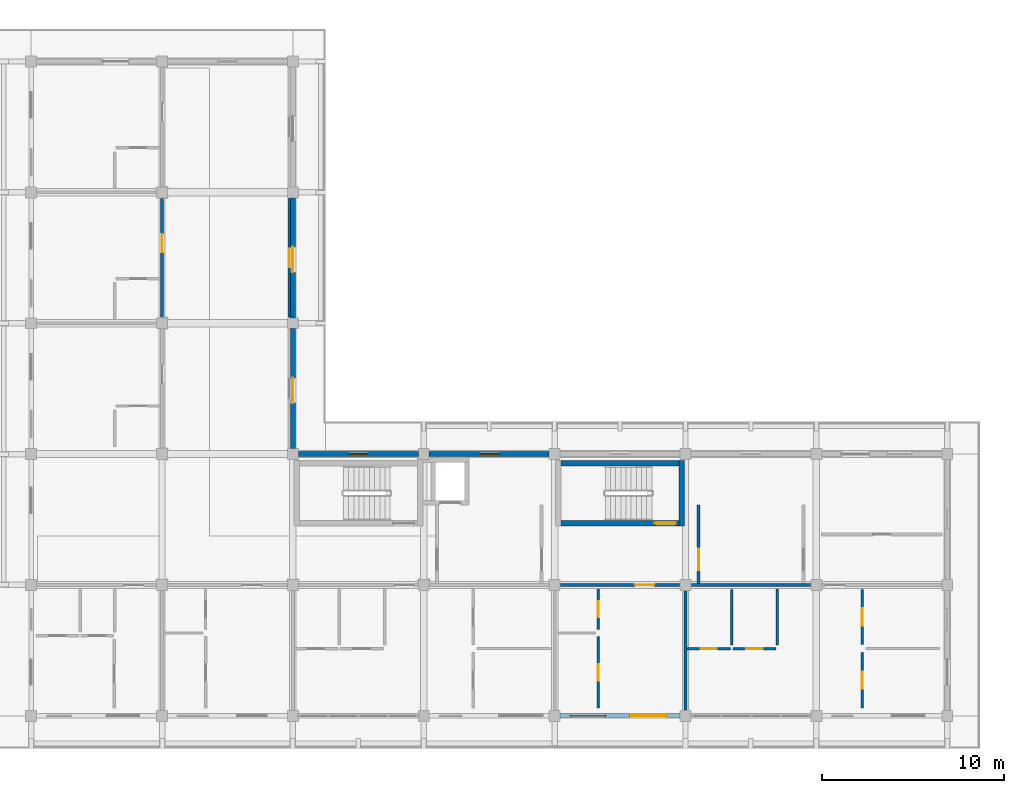
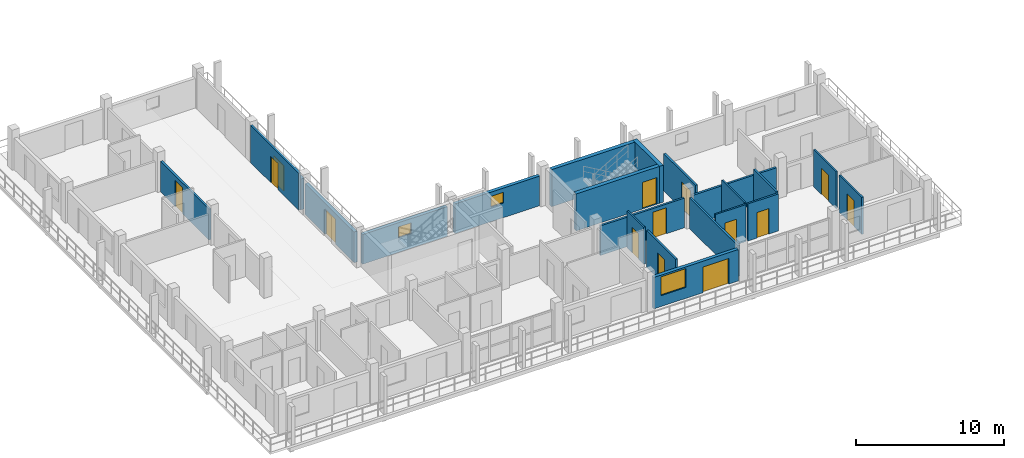
# One storey, part 40 of 75: 22 walls, 14 doors, 3 windows, 17 openings.
"""IFC4 building model written with IfcOpenShell, lengths in metres."""

from ifc_helpers import new_model, si_unit, direction, frame, frame_2d, origin, place, context, subcontext, project, spatial, rectangle, extrude, material, layer, layer_set, type_object, element, fill, save


model = new_model("IFC4")

# Units and contexts
model_context = context("Model", 3, precision=1e-05, world=origin(), true_north=direction((0.0, 1.0)))
body_context = subcontext(model_context, "Body", "Model", "MODEL_VIEW")
ifc_project = project(units=[si_unit("LENGTHUNIT", "METRE"), si_unit("AREAUNIT", "SQUARE_METRE"), si_unit("VOLUMEUNIT", "CUBIC_METRE"), si_unit("PLANEANGLEUNIT", "RADIAN"), si_unit("MASSUNIT", "GRAM", prefix="KILO")], contexts=[model_context])

# Site, building, storey
site_placement = place(None, origin())
site = spatial("IfcSite", under=ifc_project, at=site_placement, CompositionType="ELEMENT")
building_placement = place(site_placement, origin())
building = spatial("IfcBuilding", under=site, at=building_placement, Name="Suanplinth Sawtooth Commons", CompositionType="ELEMENT")
storey_placement = place(building_placement, frame((0.0, 0.0, 18.60009765625)))
storey = spatial("IfcBuildingStorey", under=building, at=storey_placement, Name="L05", CompositionType="ELEMENT", Elevation=18.60009765625)

# Wall, opening, door
ifc_material_1 = material(Name="Concrete C40/50", Category="concrete")
ifc_layer_1 = layer(ifc_material_1, 0.300048828125, Name="Standard RC stair and lift core wall 300mm")
ifc_layer_set_1 = layer_set([ifc_layer_1], Name="Concrete C40/50")
wall_type_1 = type_object("IfcWallType", Name="W-CR02", PredefinedType="SHEAR", material=ifc_layer_set_1)
wall_1_placement = place(storey_placement, frame((29.14990234375, 10.60009765625, 0.0), z_axis=(0.0, 0.0, 1.0), x_axis=(1.0, 0.0, 0.0)))
wall_1 = element("IfcWall", 1, at=wall_1_placement, inside=storey, type_object=wall_type_1, Name="W-L05-C-D2-STS", PredefinedType="SHEAR", context=body_context, shape_type="SweptSolid", body=[
    extrude(rectangle(XDim=6.5, YDim=0.300048828125, at=frame_2d((3.25, 0.0))), origin(), (0.0, 0.0, 1.0), 3.059814453125),
])
opening_1_placement = place(wall_1_placement, frame((5.169921875, 0.0, 0.0)))
opening_1 = element("IfcOpeningElement", 2, at=opening_1_placement, cuts=wall_1, Name="Opening FD0415", PredefinedType="OPENING", context=body_context, shape_type="SweptSolid", body=[
    extrude(rectangle(XDim=1.14990234375, YDim=2.199951171875, at=frame_2d((0.574951171875, 1.10009765625))), frame((0.0, 0.1650390625, 0.0), z_axis=(0.0, -1.0, 0.0), x_axis=(1.0, 0.0, 0.0)), (0.0, 0.0, 1.0), 0.329833984375),
])
ifc_material_2 = material(Name="Teak hardwood fire-rated door assembly", Category="wood")
door_type_1 = type_object("IfcDoorType", Name="FD-01", OperationType="NOTDEFINED", PredefinedType="DOOR", material=ifc_material_2)
door_1_placement = place(opening_1_placement, origin())
door_1 = element("IfcDoor", 3, at=door_1_placement, inside=storey, type_object=door_type_1, Name="Exit Stair Fire Door FD0415", OperationType="SINGLE_SWING_RIGHT", OverallHeight=2.199951171875, OverallWidth=1.14990234375, PredefinedType="DOOR", context=body_context, shape_type="SweptSolid", body=[
    extrude(rectangle(XDim=1.14990234375, YDim=2.199951171875, at=frame_2d((0.574951171875, 1.10009765625))), frame((0.0, 0.02490234375, 0.0), z_axis=(0.0, -1.0, 0.0), x_axis=(1.0, 0.0, 0.0)), (0.0, 0.0, 1.0), 0.050048828125),
])
fill(opening_1, door_1)

# Walls
wall_2_placement = place(storey_placement, frame((29.14990234375, 13.89990234375, 0.0), z_axis=(0.0, 0.0, 1.0), x_axis=(1.0, 0.0, 0.0)))
element("IfcWall", 4, at=wall_2_placement, inside=storey, type_object=wall_type_1, Name="W-L05-C-D2-STN", PredefinedType="SHEAR", context=body_context, shape_type="SweptSolid", body=[
    extrude(rectangle(XDim=6.5, YDim=0.300048828125, at=frame_2d((3.25, 0.0))), origin(), (0.0, 0.0, 1.0), 3.059814453125),
])
wall_3_placement = place(storey_placement, frame((35.800048828125, 10.449951171875, 0.0), z_axis=(0.0, 0.0, 1.0), x_axis=(0.0, 1.0, 0.0)))
element("IfcWall", 5, at=wall_3_placement, inside=storey, type_object=wall_type_1, Name="W-L05-C-D2-STE", PredefinedType="SHEAR", context=body_context, shape_type="SweptSolid", body=[
    extrude(rectangle(XDim=3.60009765625, YDim=0.300048828125, at=frame_2d((1.800048828125, 0.0))), origin(), (0.0, 0.0, 1.0), 3.059814453125),
])

# Wall, opening, door
ifc_material_3 = material(Name="Precast concrete C40/50", Category="concrete")
ifc_layer_2 = layer(ifc_material_3, 0.260009765625, Name="Insulated precast courtyard facade wall 260mm")
ifc_layer_set_2 = layer_set([ifc_layer_2], Name="Precast concrete C40/50")
wall_type_2 = type_object("IfcWallType", Name="W-EX02", PredefinedType="ELEMENTEDWALL", material=ifc_layer_set_2)
wall_4_placement = place(storey_placement, frame((14.39990234375, 14.699951171875, 0.0), z_axis=(0.0, 0.0, 1.0), x_axis=(0.0, 1.0, 0.0)))
wall_4 = element("IfcWall", 6, at=wall_4_placement, inside=storey, type_object=wall_type_2, Name="Facade Wall W-L05-D-E-1-2", PredefinedType="ELEMENTEDWALL", context=body_context, shape_type="SweptSolid", body=[
    extrude(rectangle(XDim=6.60009765625, YDim=0.260009765625, at=frame_2d((3.300048828125, 0.0))), origin(), (0.0, 0.0, 1.0), 2.544921875),
])
opening_2_placement = place(wall_4_placement, frame((2.5, 0.0, 0.0)))
opening_2 = element("IfcOpeningElement", 7, at=opening_2_placement, cuts=wall_4, Name="Opening ED0469", PredefinedType="OPENING", context=body_context, shape_type="SweptSolid", body=[
    extrude(rectangle(XDim=1.39990234375, YDim=2.10009765625, at=frame_2d((0.699951171875, 1.050048828125))), frame((0.0, 0.14501953125, 0.0), z_axis=(0.0, -1.0, 0.0), x_axis=(1.0, 0.0, 0.0)), (0.0, 0.0, 1.0), 0.289794921875),
])
ifc_material_4 = material(Name="Anodized aluminium and low-E glass", Category="aluminium")
door_type_2 = type_object("IfcDoorType", Name="SD-07", OperationType="SLIDING_TO_RIGHT", PredefinedType="DOOR", material=ifc_material_4)
door_2_placement = place(opening_2_placement, frame((1.39990234375, 0.0, 0.0), z_axis=(0.0, 0.0, 1.0), x_axis=(-1.0, 0.0, 0.0)))
door_2 = element("IfcDoor", 8, at=door_2_placement, inside=storey, type_object=door_type_2, Name="Courtyard Veranda Studio Balcony Door L05-D-2", OperationType="SLIDING_TO_RIGHT", OverallHeight=2.10009765625, OverallWidth=1.39990234375, PredefinedType="DOOR", context=body_context, shape_type="SweptSolid", body=[
    extrude(rectangle(XDim=1.39990234375, YDim=2.10009765625, at=frame_2d((0.699951171875, 1.050048828125))), frame((0.0, 0.02490234375, 0.0), z_axis=(0.0, -1.0, 0.0), x_axis=(1.0, 0.0, 0.0)), (0.0, 0.0, 1.0), 0.050048828125),
])
fill(opening_2, door_2)

wall_5_placement = place(storey_placement, frame((14.39990234375, 21.89990234375, 0.0), z_axis=(0.0, 0.0, 1.0), x_axis=(0.0, 1.0, 0.0)))
wall_5 = element("IfcWall", 9, at=wall_5_placement, inside=storey, type_object=wall_type_2, Name="Facade Wall W-L05-D-E-1-3", PredefinedType="ELEMENTEDWALL", context=body_context, shape_type="SweptSolid", body=[
    extrude(rectangle(XDim=6.60009765625, YDim=0.260009765625, at=frame_2d((3.300048828125, 0.0))), origin(), (0.0, 0.0, 1.0), 2.544921875),
])
opening_3_placement = place(wall_5_placement, frame((2.5, 0.0, 0.0)))
opening_3 = element("IfcOpeningElement", 10, at=opening_3_placement, cuts=wall_5, Name="Opening ED0470", PredefinedType="OPENING", context=body_context, shape_type="SweptSolid", body=[
    extrude(rectangle(XDim=1.39990234375, YDim=2.10009765625, at=frame_2d((0.699951171875, 1.050048828125))), frame((0.0, 0.14501953125, 0.0), z_axis=(0.0, -1.0, 0.0), x_axis=(1.0, 0.0, 0.0)), (0.0, 0.0, 1.0), 0.289794921875),
])
door_3_placement = place(opening_3_placement, frame((1.39990234375, 0.0, 0.0), z_axis=(0.0, 0.0, 1.0), x_axis=(-1.0, 0.0, 0.0)))
door_3 = element("IfcDoor", 11, at=door_3_placement, inside=storey, type_object=door_type_2, Name="Courtyard Veranda Studio Balcony Door L05-D-3", OperationType="SLIDING_TO_RIGHT", OverallHeight=2.10009765625, OverallWidth=1.39990234375, PredefinedType="DOOR", context=body_context, shape_type="SweptSolid", body=[
    extrude(rectangle(XDim=1.39990234375, YDim=2.10009765625, at=frame_2d((0.699951171875, 1.050048828125))), frame((0.0, 0.02490234375, 0.0), z_axis=(0.0, -1.0, 0.0), x_axis=(1.0, 0.0, 0.0)), (0.0, 0.0, 1.0), 0.050048828125),
])
fill(opening_3, door_3)

# Wall, opening, window
wall_6_placement = place(storey_placement, frame((14.699951171875, 14.39990234375, 0.0), z_axis=(0.0, 0.0, 1.0), x_axis=(1.0, 0.0, 0.0)))
wall_6 = element("IfcWall", 12, at=wall_6_placement, inside=storey, type_object=wall_type_2, Name="Facade Wall W-L05-D-N-2-1", PredefinedType="ELEMENTEDWALL", context=body_context, shape_type="SweptSolid", body=[
    extrude(rectangle(XDim=6.60009765625, YDim=0.260009765625, at=frame_2d((3.300048828125, 0.0))), origin(), (0.0, 0.0, 1.0), 2.44482421875),
])
opening_4_placement = place(wall_6_placement, frame((2.800048828125, 0.0, 1.199951171875)))
opening_4 = element("IfcOpeningElement", 13, at=opening_4_placement, cuts=wall_6, Name="Opening W0557", PredefinedType="OPENING", context=body_context, shape_type="SweptSolid", body=[
    extrude(rectangle(XDim=1.0, YDim=0.89990234375, at=frame_2d((0.5, 0.449951171875))), frame((0.0, 0.14501953125, 0.0), z_axis=(0.0, -1.0, 0.0), x_axis=(1.0, 0.0, 0.0)), (0.0, 0.0, 1.0), 0.289794921875),
])
ifc_material_5 = material(Name="Thermally broken aluminium and low-E double glazing", Category="aluminium")
window_type_1 = type_object("IfcWindowType", Name="WN-12", PartitioningType="SINGLE_PANEL", PredefinedType="WINDOW", material=ifc_material_5)
window_1_placement = place(opening_4_placement, origin())
window_1 = element("IfcWindow", 14, at=window_1_placement, inside=storey, type_object=window_type_1, Name="Core Daylight Window L05-D-2-1", OverallHeight=0.89990234375, OverallWidth=1.0, PartitioningType="SINGLE_PANEL", PredefinedType="WINDOW", context=body_context, shape_type="SweptSolid", body=[
    extrude(rectangle(XDim=1.0, YDim=0.89990234375, at=frame_2d((0.5, 0.449951171875))), frame((0.0, 0.030029296875, 0.0), z_axis=(0.0, -1.0, 0.0), x_axis=(1.0, 0.0, 0.0)), (0.0, 0.0, 1.0), 0.06005859375),
])
fill(opening_4, window_1)

wall_7_placement = place(storey_placement, frame((21.89990234375, 14.39990234375, 0.0), z_axis=(0.0, 0.0, 1.0), x_axis=(1.0, 0.0, 0.0)))
wall_7 = element("IfcWall", 15, at=wall_7_placement, inside=storey, type_object=wall_type_2, Name="Facade Wall W-L05-D-N-3-1", PredefinedType="ELEMENTEDWALL", context=body_context, shape_type="SweptSolid", body=[
    extrude(rectangle(XDim=6.60009765625, YDim=0.260009765625, at=frame_2d((3.300048828125, 0.0))), origin(), (0.0, 0.0, 1.0), 2.44482421875),
])
opening_5_placement = place(wall_7_placement, frame((2.800048828125, 0.0, 1.199951171875)))
opening_5 = element("IfcOpeningElement", 16, at=opening_5_placement, cuts=wall_7, Name="Opening W0559", PredefinedType="OPENING", context=body_context, shape_type="SweptSolid", body=[
    extrude(rectangle(XDim=1.0, YDim=0.89990234375, at=frame_2d((0.5, 0.449951171875))), frame((0.0, 0.14501953125, 0.0), z_axis=(0.0, -1.0, 0.0), x_axis=(1.0, 0.0, 0.0)), (0.0, 0.0, 1.0), 0.289794921875),
])
window_2_placement = place(opening_5_placement, origin())
window_2 = element("IfcWindow", 17, at=window_2_placement, inside=storey, type_object=window_type_1, Name="Core Daylight Window L05-D-3-1", OverallHeight=0.89990234375, OverallWidth=1.0, PartitioningType="SINGLE_PANEL", PredefinedType="WINDOW", context=body_context, shape_type="SweptSolid", body=[
    extrude(rectangle(XDim=1.0, YDim=0.89990234375, at=frame_2d((0.5, 0.449951171875))), frame((0.0, 0.030029296875, 0.0), z_axis=(0.0, -1.0, 0.0), x_axis=(1.0, 0.0, 0.0)), (0.0, 0.0, 1.0), 0.06005859375),
])
fill(opening_5, window_2)

# Wall, openings, door, window
wall_8_placement = place(storey_placement, frame((29.10009765625, 0.0, 0.0), z_axis=(0.0, 0.0, 1.0), x_axis=(1.0, 0.0, 0.0)))
wall_8 = element("IfcWall", 18, at=wall_8_placement, inside=storey, type_object=wall_type_2, Name="Facade Wall W-L05-D-S-4-0", PredefinedType="ELEMENTEDWALL", context=body_context, shape_type="SweptSolid", body=[
    extrude(rectangle(XDim=6.599853515625, YDim=0.260009765625, at=frame_2d((3.2998046875, 0.0))), origin(), (0.0, 0.0, 1.0), 2.594970703125),
])
opening_6_placement = place(wall_8_placement, frame((3.85009765625, 0.0, 0.0)))
opening_6 = element("IfcOpeningElement", 19, at=opening_6_placement, cuts=wall_8, Name="Opening ED0473", PredefinedType="OPENING", context=body_context, shape_type="SweptSolid", body=[
    extrude(rectangle(XDim=2.0, YDim=2.1201171875, at=frame_2d((1.0, 1.06005859375))), frame((0.0, 0.14501953125, 0.0), z_axis=(0.0, -1.0, 0.0), x_axis=(1.0, 0.0, 0.0)), (0.0, 0.0, 1.0), 0.289794921875),
])
opening_7_placement = place(wall_8_placement, frame((0.550048828125, 0.0, 0.89990234375)))
opening_7 = element("IfcOpeningElement", 20, at=opening_7_placement, cuts=wall_8, Name="Opening W0560", PredefinedType="OPENING", context=body_context, shape_type="SweptSolid", body=[
    extrude(rectangle(XDim=1.949951171875, YDim=1.550048828125, at=frame_2d((0.97509765625, 0.77490234375))), frame((0.0, 0.14501953125, 0.0), z_axis=(0.0, -1.0, 0.0), x_axis=(1.0, 0.0, 0.0)), (0.0, 0.0, 1.0), 0.289794921875),
])
door_type_3 = type_object("IfcDoorType", Name="SD-06", OperationType="DOUBLE_DOOR_SLIDING", PredefinedType="DOOR", material=ifc_material_4)
door_4_placement = place(opening_6_placement, frame((2.0, 0.0, 0.0), z_axis=(0.0, 0.0, 1.0), x_axis=(-1.0, 0.0, 0.0)))
door_4 = element("IfcDoor", 21, at=door_4_placement, inside=storey, type_object=door_type_3, Name="Balcony Sliding Door L05-D-4", OperationType="DOUBLE_DOOR_SLIDING", OverallHeight=2.1201171875, OverallWidth=2.0, PredefinedType="DOOR", context=body_context, shape_type="SweptSolid", body=[
    extrude(rectangle(XDim=2.0, YDim=2.1201171875, at=frame_2d((1.0, 1.06005859375))), frame((0.0, 0.02490234375, 0.0), z_axis=(0.0, -1.0, 0.0), x_axis=(1.0, 0.0, 0.0)), (0.0, 0.0, 1.0), 0.050048828125),
])
fill(opening_6, door_4)
window_type_2 = type_object("IfcWindowType", Name="WN-18", PartitioningType="DOUBLE_PANEL_VERTICAL", PredefinedType="WINDOW", material=ifc_material_5)
window_3_placement = place(opening_7_placement, origin())
window_3 = element("IfcWindow", 22, at=window_3_placement, inside=storey, type_object=window_type_2, Name="Apartment Window L05-D-4", OverallHeight=1.550048828125, OverallWidth=1.949951171875, PartitioningType="DOUBLE_PANEL_VERTICAL", PredefinedType="WINDOW", context=body_context, shape_type="SweptSolid", body=[
    extrude(rectangle(XDim=1.949951171875, YDim=1.550048828125, at=frame_2d((0.97509765625, 0.77490234375))), frame((0.0, 0.030029296875, 0.0), z_axis=(0.0, -1.0, 0.0), x_axis=(1.0, 0.0, 0.0)), (0.0, 0.0, 1.0), 0.06005859375),
])
fill(opening_7, window_3)

# Wall, opening, door
ifc_layer_3 = layer(ifc_material_3, 0.159912109375, Name="Fire-rated corridor and lobby wall 160mm")
ifc_layer_set_3 = layer_set([ifc_layer_3], Name="Precast concrete C40/50")
wall_type_3 = type_object("IfcWallType", Name="W-FW01", PredefinedType="PARTITIONING", material=ifc_layer_set_3)
wall_9_placement = place(storey_placement, frame((36.719970703125, 7.280029296875, 0.0), z_axis=(0.0, 0.0, 1.0), x_axis=(0.0, 1.0, 0.0)))
wall_9 = element("IfcWall", 23, at=wall_9_placement, inside=storey, type_object=wall_type_3, Name="W-L05-C-D2-LOB-W", PredefinedType="PARTITIONING", context=body_context, shape_type="SweptSolid", body=[
    extrude(rectangle(XDim=4.320068359375, YDim=0.159912109375, at=frame_2d((2.16015625, 0.0))), origin(), (0.0, 0.0, 1.0), 3.059814453125),
])
opening_8_placement = place(wall_9_placement, frame((0.719970703125, 0.0, 0.0)))
opening_8 = element("IfcOpeningElement", 24, at=opening_8_placement, cuts=wall_9, Name="Opening FD0416", PredefinedType="OPENING", context=body_context, shape_type="SweptSolid", body=[
    extrude(rectangle(XDim=1.199951171875, YDim=2.199951171875, at=frame_2d((0.60009765625, 1.10009765625))), frame((0.0, 0.0947265625, 0.0), z_axis=(0.0, -1.0, 0.0), x_axis=(1.0, 0.0, 0.0)), (0.0, 0.0, 1.0), 0.189697265625),
])
door_type_4 = type_object("IfcDoorType", Name="FD-02", OperationType="NOTDEFINED", PredefinedType="DOOR", material=ifc_material_2)
door_5_placement = place(opening_8_placement, origin())
door_5 = element("IfcDoor", 25, at=door_5_placement, inside=storey, type_object=door_type_4, Name="Lobby Fire Door FD0416", OperationType="SINGLE_SWING_LEFT", OverallHeight=2.199951171875, OverallWidth=1.199951171875, PredefinedType="DOOR", context=body_context, shape_type="SweptSolid", body=[
    extrude(rectangle(XDim=1.199951171875, YDim=2.199951171875, at=frame_2d((0.60009765625, 1.10009765625))), frame((0.0, 0.02490234375, 0.0), z_axis=(0.0, -1.0, 0.0), x_axis=(1.0, 0.0, 0.0)), (0.0, 0.0, 1.0), 0.050048828125),
])
fill(opening_8, door_5)

wall_10_placement = place(storey_placement, frame((29.1298828125, 7.199951171875, 0.0), z_axis=(0.0, 0.0, 1.0), x_axis=(1.0, 0.0, 0.0)))
wall_10 = element("IfcWall", 26, at=wall_10_placement, inside=storey, type_object=wall_type_3, Name="W-D-L05-U04-COR", PredefinedType="PARTITIONING", context=body_context, shape_type="SweptSolid", body=[
    extrude(rectangle(XDim=6.5400390625, YDim=0.159912109375, at=frame_2d((3.27001953125, 0.0))), origin(), (0.0, 0.0, 1.0), 2.44482421875),
])
opening_9_placement = place(wall_10_placement, frame((4.094970703125, 0.0, 0.0)))
opening_9 = element("IfcOpeningElement", 27, at=opening_9_placement, cuts=wall_10, Name="Opening FD1337", PredefinedType="OPENING", context=body_context, shape_type="SweptSolid", body=[
    extrude(rectangle(XDim=1.050048828125, YDim=2.14990234375, at=frame_2d((0.52490234375, 1.074951171875))), frame((0.0, 0.0947265625, 0.0), z_axis=(0.0, -1.0, 0.0), x_axis=(1.0, 0.0, 0.0)), (0.0, 0.0, 1.0), 0.189697265625),
])
door_type_5 = type_object("IfcDoorType", Name="FD-04", OperationType="NOTDEFINED", PredefinedType="DOOR", material=ifc_material_2)
door_6_placement = place(opening_9_placement, frame((1.050048828125, 0.0, 0.0), z_axis=(0.0, 0.0, 1.0), x_axis=(-1.0, 0.0, 0.0)))
door_6 = element("IfcDoor", 28, at=door_6_placement, inside=storey, type_object=door_type_5, Name="Unit Entrance Door FD1337", OperationType="SINGLE_SWING_LEFT", OverallHeight=2.14990234375, OverallWidth=1.050048828125, PredefinedType="DOOR", context=body_context, shape_type="SweptSolid", body=[
    extrude(rectangle(XDim=1.050048828125, YDim=2.14990234375, at=frame_2d((0.52490234375, 1.074951171875))), frame((0.0, 0.02490234375, 0.0), z_axis=(0.0, -1.0, 0.0), x_axis=(1.0, 0.0, 0.0)), (0.0, 0.0, 1.0), 0.050048828125),
])
fill(opening_9, door_6)

# Wall
wall_11_placement = place(storey_placement, frame((36.330078125, 7.199951171875, 0.0), z_axis=(0.0, 0.0, 1.0), x_axis=(1.0, 0.0, 0.0)))
element("IfcWall", 29, at=wall_11_placement, inside=storey, type_object=wall_type_3, Name="W-D-L05-U05-COR-S1", PredefinedType="PARTITIONING", context=body_context, shape_type="SweptSolid", body=[
    extrude(rectangle(XDim=6.5400390625, YDim=0.159912109375, at=frame_2d((3.27001953125, 0.0))), origin(), (0.0, 0.0, 1.0), 2.44482421875),
])

# Wall, opening, door
wall_12_placement = place(storey_placement, frame((7.199951171875, 21.929931640625, 0.0), z_axis=(0.0, 0.0, 1.0), x_axis=(0.0, 1.0, 0.0)))
wall_12 = element("IfcWall", 30, at=wall_12_placement, inside=storey, type_object=wall_type_3, Name="W-D-L05-L02-COR", PredefinedType="PARTITIONING", context=body_context, shape_type="SweptSolid", body=[
    extrude(rectangle(XDim=6.5400390625, YDim=0.159912109375, at=frame_2d((3.27001953125, 0.0))), origin(), (0.0, 0.0, 1.0), 2.544921875),
])
opening_10_placement = place(wall_12_placement, frame((3.570068359375, 0.0, 0.0)))
opening_10 = element("IfcOpeningElement", 31, at=opening_10_placement, cuts=wall_12, Name="Opening FD1349", PredefinedType="OPENING", context=body_context, shape_type="SweptSolid", body=[
    extrude(rectangle(XDim=1.0, YDim=2.14990234375, at=frame_2d((0.5, 1.074951171875))), frame((0.0, 0.0947265625, 0.0), z_axis=(0.0, -1.0, 0.0), x_axis=(1.0, 0.0, 0.0)), (0.0, 0.0, 1.0), 0.189697265625),
])
door_type_6 = type_object("IfcDoorType", Name="FD-03", OperationType="NOTDEFINED", PredefinedType="DOOR", material=ifc_material_2)
door_7_placement = place(opening_10_placement, origin())
door_7 = element("IfcDoor", 32, at=door_7_placement, inside=storey, type_object=door_type_6, Name="Wing Unit Entrance Door FD1349", OperationType="SINGLE_SWING_LEFT", OverallHeight=2.14990234375, OverallWidth=1.0, PredefinedType="DOOR", context=body_context, shape_type="SweptSolid", body=[
    extrude(rectangle(XDim=1.0, YDim=2.14990234375, at=frame_2d((0.5, 1.074951171875))), frame((0.0, 0.02490234375, 0.0), z_axis=(0.0, -1.0, 0.0), x_axis=(1.0, 0.0, 0.0)), (0.0, 0.0, 1.0), 0.050048828125),
])
fill(opening_10, door_7)

wall_13_placement = place(storey_placement, frame((14.199951171875, 21.929931640625, 0.0), z_axis=(0.0, 0.0, 1.0), x_axis=(0.0, 1.0, 0.0)))
wall_13 = element("IfcWall", 33, at=wall_13_placement, inside=storey, type_object=wall_type_3, Name="W-D-L05-LEGCOURTROOM-63-COR", PredefinedType="PARTITIONING", context=body_context, shape_type="SweptSolid", body=[
    extrude(rectangle(XDim=6.5400390625, YDim=0.159912109375, at=frame_2d((3.27001953125, 0.0))), origin(), (0.0, 0.0, 1.0), 3.059814453125),
])
opening_11_placement = place(wall_13_placement, frame((2.760009765625, 0.0, 0.0)))
opening_11 = element("IfcOpeningElement", 34, at=opening_11_placement, cuts=wall_13, Name="Opening D1351", PredefinedType="OPENING", context=body_context, shape_type="SweptSolid", body=[
    extrude(rectangle(XDim=1.02001953125, YDim=2.179931640625, at=frame_2d((0.510009765625, 1.08984375))), frame((0.0, 0.0947265625, 0.0), z_axis=(0.0, -1.0, 0.0), x_axis=(1.0, 0.0, 0.0)), (0.0, 0.0, 1.0), 0.189697265625),
])
ifc_material_6 = material(Name="Teak hardwood", Category="wood")
door_type_7 = type_object("IfcDoorType", Name="D-16", OperationType="NOTDEFINED", PredefinedType="DOOR", material=ifc_material_6)
door_8_placement = place(opening_11_placement, frame((1.02001953125, 0.0, 0.0), z_axis=(0.0, 0.0, 1.0), x_axis=(-1.0, 0.0, 0.0)))
door_8 = element("IfcDoor", 35, at=door_8_placement, inside=storey, type_object=door_type_7, Name="Veranda Studio Door D1351", OperationType="SINGLE_SWING_LEFT", OverallHeight=2.179931640625, OverallWidth=1.02001953125, PredefinedType="DOOR", context=body_context, shape_type="SweptSolid", body=[
    extrude(rectangle(XDim=1.02001953125, YDim=2.179931640625, at=frame_2d((0.510009765625, 1.08984375))), frame((0.0, 0.02490234375, 0.0), z_axis=(0.0, -1.0, 0.0), x_axis=(1.0, 0.0, 0.0)), (0.0, 0.0, 1.0), 0.050048828125),
])
fill(opening_11, door_8)

# Wall
ifc_layer_4 = layer(ifc_material_3, 0.14990234375, Name="Acoustic precast party demising wall 150mm")
ifc_layer_set_4 = layer_set([ifc_layer_4], Name="Precast concrete C40/50")
wall_type_4 = type_object("IfcWallType", Name="W-FW02", PredefinedType="PARTITIONING", material=ifc_layer_set_4)
wall_14_placement = place(storey_placement, frame((36.0, 0.330078125, 0.0), z_axis=(0.0, 0.0, 1.0), x_axis=(0.0, 1.0, 0.0)))
element("IfcWall", 36, at=wall_14_placement, inside=storey, type_object=wall_type_4, Name="W-D-L05-U04-PTY", PredefinedType="PARTITIONING", context=body_context, shape_type="SweptSolid", body=[
    extrude(rectangle(XDim=6.5400390625, YDim=0.14990234375, at=frame_2d((3.27001953125, 0.0))), origin(), (0.0, 0.0, 1.0), 2.544921875),
])

# Wall, opening, door
ifc_material_7 = material(Name="Gypsum plasterboard on steel stud", Category="steel")
ifc_layer_5 = layer(ifc_material_7, 0.139892578125, Name="Fire-rated kitchen partition 140mm")
ifc_layer_set_5 = layer_set([ifc_layer_5], Name="Gypsum plasterboard on steel stud")
wall_type_5 = type_object("IfcWallType", Name="W-PT01", PredefinedType="PARTITIONING", material=ifc_layer_set_5)
wall_15_placement = place(storey_placement, frame((31.195068359375, 0.419921875, 0.0), z_axis=(0.0, 0.0, 1.0), x_axis=(0.0, 1.0, 0.0)))
wall_15 = element("IfcWall", 37, at=wall_15_placement, inside=storey, type_object=wall_type_5, Name="W-D-L05-U04-KITE", PredefinedType="PARTITIONING", context=body_context, shape_type="SweptSolid", body=[
    extrude(rectangle(XDim=3.940185546875, YDim=0.139892578125, at=frame_2d((1.97021484375, 0.0))), origin(), (0.0, 0.0, 1.0), 3.059814453125),
])
opening_12_placement = place(wall_15_placement, frame((1.510009765625, 0.0, 0.0)))
opening_12 = element("IfcOpeningElement", 38, at=opening_12_placement, cuts=wall_15, Name="Opening D1339", PredefinedType="OPENING", context=body_context, shape_type="SweptSolid", body=[
    extrude(rectangle(XDim=0.919921875, YDim=2.10009765625, at=frame_2d((0.4599609375, 1.050048828125))), frame((0.0, 0.0849609375, 0.0), z_axis=(0.0, -1.0, 0.0), x_axis=(1.0, 0.0, 0.0)), (0.0, 0.0, 1.0), 0.169677734375),
])
door_type_8 = type_object("IfcDoorType", Name="D-02", OperationType="NOTDEFINED", PredefinedType="DOOR", material=ifc_material_6)
door_9_placement = place(opening_12_placement, origin())
door_9 = element("IfcDoor", 39, at=door_9_placement, inside=storey, type_object=door_type_8, Name="Kitchen Door D1339", OperationType="SINGLE_SWING_LEFT", OverallHeight=2.10009765625, OverallWidth=0.919921875, PredefinedType="DOOR", context=body_context, shape_type="SweptSolid", body=[
    extrude(rectangle(XDim=0.919921875, YDim=2.10009765625, at=frame_2d((0.4599609375, 1.050048828125))), frame((0.0, 0.02490234375, 0.0), z_axis=(0.0, -1.0, 0.0), x_axis=(1.0, 0.0, 0.0)), (0.0, 0.0, 1.0), 0.050048828125),
])
fill(opening_12, door_9)

wall_16_placement = place(storey_placement, frame((38.60009765625, 3.68994140625, 0.0), z_axis=(0.0, 0.0, 1.0), x_axis=(1.0, 0.0, 0.0)))
wall_16 = element("IfcWall", 40, at=wall_16_placement, inside=storey, type_object=wall_type_5, Name="W-D-L05-U05-KIT1", PredefinedType="PARTITIONING", context=body_context, shape_type="SweptSolid", body=[
    extrude(rectangle(XDim=2.3798828125, YDim=0.139892578125, at=frame_2d((1.18994140625, 0.0))), origin(), (0.0, 0.0, 1.0), 3.059814453125),
])
opening_13_placement = place(wall_16_placement, frame((0.72998046875, 0.0, 0.0)))
opening_13 = element("IfcOpeningElement", 41, at=opening_13_placement, cuts=wall_16, Name="Opening D1342", PredefinedType="OPENING", context=body_context, shape_type="SweptSolid", body=[
    extrude(rectangle(XDim=0.919921875, YDim=2.10009765625, at=frame_2d((0.4599609375, 1.050048828125))), frame((0.0, 0.0849609375, 0.0), z_axis=(0.0, -1.0, 0.0), x_axis=(1.0, 0.0, 0.0)), (0.0, 0.0, 1.0), 0.169677734375),
])
door_10_placement = place(opening_13_placement, origin())
door_10 = element("IfcDoor", 42, at=door_10_placement, inside=storey, type_object=door_type_8, Name="Kitchen Door D1342", OperationType="SINGLE_SWING_RIGHT", OverallHeight=2.10009765625, OverallWidth=0.919921875, PredefinedType="DOOR", context=body_context, shape_type="SweptSolid", body=[
    extrude(rectangle(XDim=0.919921875, YDim=2.10009765625, at=frame_2d((0.4599609375, 1.050048828125))), frame((0.0, 0.02490234375, 0.0), z_axis=(0.0, -1.0, 0.0), x_axis=(1.0, 0.0, 0.0)), (0.0, 0.0, 1.0), 0.050048828125),
])
fill(opening_13, door_10)

# Wall
wall_17_placement = place(storey_placement, frame((41.050048828125, 3.909912109375, 0.0), z_axis=(0.0, 0.0, 1.0), x_axis=(0.0, 1.0, 0.0)))
element("IfcWall", 43, at=wall_17_placement, inside=storey, type_object=wall_type_5, Name="W-D-L05-U05-KIT2", PredefinedType="PARTITIONING", context=body_context, shape_type="SweptSolid", body=[
    extrude(rectangle(XDim=3.06005859375, YDim=0.139892578125, at=frame_2d((1.530029296875, 0.0))), origin(), (0.0, 0.0, 1.0), 3.059814453125),
])

# Wall, opening, door
ifc_layer_6 = layer(ifc_material_7, 0.1298828125, Name="Moisture-resistant bathroom partition 130mm")
ifc_layer_set_6 = layer_set([ifc_layer_6], Name="Gypsum plasterboard on steel stud")
wall_type_6 = type_object("IfcWallType", Name="W-PT02", PredefinedType="PARTITIONING", material=ifc_layer_set_6)
wall_18_placement = place(storey_placement, frame((31.195068359375, 4.760009765625, 0.0), z_axis=(0.0, 0.0, 1.0), x_axis=(0.0, 1.0, 0.0)))
wall_18 = element("IfcWall", 44, at=wall_18_placement, inside=storey, type_object=wall_type_6, Name="W-D-L05-U04-BTHE", PredefinedType="PARTITIONING", context=body_context, shape_type="SweptSolid", body=[
    extrude(rectangle(XDim=2.219970703125, YDim=0.1298828125, at=frame_2d((1.10986328125, 0.0))), origin(), (0.0, 0.0, 1.0), 3.059814453125),
])
opening_14_placement = place(wall_18_placement, frame((0.669921875, 0.0, 0.0)))
opening_14 = element("IfcOpeningElement", 45, at=opening_14_placement, cuts=wall_18, Name="Opening D1338", PredefinedType="OPENING", context=body_context, shape_type="SweptSolid", body=[
    extrude(rectangle(XDim=0.8798828125, YDim=2.10009765625, at=frame_2d((0.43994140625, 1.050048828125))), frame((0.0, 0.079833984375, 0.0), z_axis=(0.0, -1.0, 0.0), x_axis=(1.0, 0.0, 0.0)), (0.0, 0.0, 1.0), 0.15966796875),
])
door_type_9 = type_object("IfcDoorType", Name="D-14", OperationType="NOTDEFINED", PredefinedType="DOOR", material=ifc_material_6)
door_11_placement = place(opening_14_placement, origin())
door_11 = element("IfcDoor", 46, at=door_11_placement, inside=storey, type_object=door_type_9, Name="Bathroom Door D1338", OperationType="SINGLE_SWING_RIGHT", OverallHeight=2.10009765625, OverallWidth=0.8798828125, PredefinedType="DOOR", context=body_context, shape_type="SweptSolid", body=[
    extrude(rectangle(XDim=0.8798828125, YDim=2.10009765625, at=frame_2d((0.43994140625, 1.050048828125))), frame((0.0, 0.02490234375, 0.0), z_axis=(0.0, -1.0, 0.0), x_axis=(1.0, 0.0, 0.0)), (0.0, 0.0, 1.0), 0.050048828125),
])
fill(opening_14, door_11)

wall_19_placement = place(storey_placement, frame((36.080078125, 3.695068359375, 0.0), z_axis=(0.0, 0.0, 1.0), x_axis=(1.0, 0.0, 0.0)))
wall_19 = element("IfcWall", 47, at=wall_19_placement, inside=storey, type_object=wall_type_6, Name="W-D-L05-U05-BTH1", PredefinedType="PARTITIONING", context=body_context, shape_type="SweptSolid", body=[
    extrude(rectangle(XDim=2.39990234375, YDim=0.1298828125, at=frame_2d((1.199951171875, 0.0))), origin(), (0.0, 0.0, 1.0), 3.059814453125),
])
opening_15_placement = place(wall_19_placement, frame((0.75, 0.0, 0.0)))
opening_15 = element("IfcOpeningElement", 48, at=opening_15_placement, cuts=wall_19, Name="Opening D1341", PredefinedType="OPENING", context=body_context, shape_type="SweptSolid", body=[
    extrude(rectangle(XDim=0.89990234375, YDim=2.10009765625, at=frame_2d((0.449951171875, 1.050048828125))), frame((0.0, 0.079833984375, 0.0), z_axis=(0.0, -1.0, 0.0), x_axis=(1.0, 0.0, 0.0)), (0.0, 0.0, 1.0), 0.15966796875),
])
door_type_10 = type_object("IfcDoorType", Name="D-01", OperationType="NOTDEFINED", PredefinedType="DOOR", material=ifc_material_6)
door_12_placement = place(opening_15_placement, origin())
door_12 = element("IfcDoor", 49, at=door_12_placement, inside=storey, type_object=door_type_10, Name="Bathroom Door D1341", OperationType="SINGLE_SWING_LEFT", OverallHeight=2.10009765625, OverallWidth=0.89990234375, PredefinedType="DOOR", context=body_context, shape_type="SweptSolid", body=[
    extrude(rectangle(XDim=0.89990234375, YDim=2.10009765625, at=frame_2d((0.449951171875, 1.050048828125))), frame((0.0, 0.02490234375, 0.0), z_axis=(0.0, -1.0, 0.0), x_axis=(1.0, 0.0, 0.0)), (0.0, 0.0, 1.0), 0.050048828125),
])
fill(opening_15, door_12)

# Wall
wall_20_placement = place(storey_placement, frame((38.544921875, 3.89990234375, 0.0), z_axis=(0.0, 0.0, 1.0), x_axis=(0.0, 1.0, 0.0)))
element("IfcWall", 50, at=wall_20_placement, inside=storey, type_object=wall_type_6, Name="W-D-L05-U05-BTH2", PredefinedType="PARTITIONING", context=body_context, shape_type="SweptSolid", body=[
    extrude(rectangle(XDim=3.0400390625, YDim=0.1298828125, at=frame_2d((1.52001953125, 0.0))), origin(), (0.0, 0.0, 1.0), 3.059814453125),
])

# Wall, opening, door
ifc_layer_7 = layer(ifc_material_7, 0.1201171875, Name="Acoustic bedroom partition 120mm")
ifc_layer_set_7 = layer_set([ifc_layer_7], Name="Gypsum plasterboard on steel stud")
wall_type_7 = type_object("IfcWallType", Name="W-PT03", PredefinedType="PARTITIONING", material=ifc_layer_set_7)
wall_21_placement = place(storey_placement, frame((45.719970703125, 3.919921875, 0.0), z_axis=(0.0, 0.0, 1.0), x_axis=(0.0, 1.0, 0.0)))
wall_21 = element("IfcWall", 51, at=wall_21_placement, inside=storey, type_object=wall_type_7, Name="W-D-L05-U05-BED2", PredefinedType="PARTITIONING", context=body_context, shape_type="SweptSolid", body=[
    extrude(rectangle(XDim=3.0400390625, YDim=0.1201171875, at=frame_2d((1.52001953125, 0.0))), origin(), (0.0, 0.0, 1.0), 3.059814453125),
])
opening_16_placement = place(wall_21_placement, frame((1.0400390625, 0.0, 0.0)))
opening_16 = element("IfcOpeningElement", 52, at=opening_16_placement, cuts=wall_21, Name="Opening D1344", PredefinedType="OPENING", context=body_context, shape_type="SweptSolid", body=[
    extrude(rectangle(XDim=0.9599609375, YDim=2.14990234375, at=frame_2d((0.47998046875, 1.074951171875))), frame((0.0, 0.074951171875, 0.0), z_axis=(0.0, -1.0, 0.0), x_axis=(1.0, 0.0, 0.0)), (0.0, 0.0, 1.0), 0.14990234375),
])
door_type_11 = type_object("IfcDoorType", Name="D-13", OperationType="NOTDEFINED", PredefinedType="DOOR", material=ifc_material_6)
door_13_placement = place(opening_16_placement, frame((0.9599609375, 0.0, 0.0), z_axis=(0.0, 0.0, 1.0), x_axis=(-1.0, 0.0, 0.0)))
door_13 = element("IfcDoor", 53, at=door_13_placement, inside=storey, type_object=door_type_11, Name="Second Bedroom Door D1344", OperationType="SINGLE_SWING_RIGHT", OverallHeight=2.14990234375, OverallWidth=0.9599609375, PredefinedType="DOOR", context=body_context, shape_type="SweptSolid", body=[
    extrude(rectangle(XDim=0.9599609375, YDim=2.14990234375, at=frame_2d((0.47998046875, 1.074951171875))), frame((0.0, 0.02490234375, 0.0), z_axis=(0.0, -1.0, 0.0), x_axis=(1.0, 0.0, 0.0)), (0.0, 0.0, 1.0), 0.050048828125),
])
fill(opening_16, door_13)

ifc_layer_8 = layer(ifc_material_7, 0.135009765625, Name="Insulated bedroom demising partition 135mm")
ifc_layer_set_8 = layer_set([ifc_layer_8], Name="Gypsum plasterboard on steel stud")
wall_type_8 = type_object("IfcWallType", Name="W-PT07", PredefinedType="PARTITIONING", material=ifc_layer_set_8)
wall_22_placement = place(storey_placement, frame((45.719970703125, 0.43994140625, 0.0), z_axis=(0.0, 0.0, 1.0), x_axis=(0.0, 1.0, 0.0)))
wall_22 = element("IfcWall", 54, at=wall_22_placement, inside=storey, type_object=wall_type_8, Name="W-D-L05-U05-BED1", PredefinedType="PARTITIONING", context=body_context, shape_type="SweptSolid", body=[
    extrude(rectangle(XDim=3.0400390625, YDim=0.135009765625, at=frame_2d((1.52001953125, 0.0))), origin(), (0.0, 0.0, 1.0), 3.059814453125),
])
opening_17_placement = place(wall_22_placement, frame((1.044921875, 0.0, 0.0)))
opening_17 = element("IfcOpeningElement", 55, at=opening_17_placement, cuts=wall_22, Name="Opening D1343", PredefinedType="OPENING", context=body_context, shape_type="SweptSolid", body=[
    extrude(rectangle(XDim=0.949951171875, YDim=2.14990234375, at=frame_2d((0.47509765625, 1.074951171875))), frame((0.0, 0.08251953125, 0.0), z_axis=(0.0, -1.0, 0.0), x_axis=(1.0, 0.0, 0.0)), (0.0, 0.0, 1.0), 0.164794921875),
])
door_type_12 = type_object("IfcDoorType", Name="D-03", OperationType="NOTDEFINED", PredefinedType="DOOR", material=ifc_material_6)
door_14_placement = place(opening_17_placement, frame((0.949951171875, 0.0, 0.0), z_axis=(0.0, 0.0, 1.0), x_axis=(-1.0, 0.0, 0.0)))
door_14 = element("IfcDoor", 56, at=door_14_placement, inside=storey, type_object=door_type_12, Name="Bedroom Door D1343", OperationType="SINGLE_SWING_LEFT", OverallHeight=2.14990234375, OverallWidth=0.949951171875, PredefinedType="DOOR", context=body_context, shape_type="SweptSolid", body=[
    extrude(rectangle(XDim=0.949951171875, YDim=2.14990234375, at=frame_2d((0.47509765625, 1.074951171875))), frame((0.0, 0.02490234375, 0.0), z_axis=(0.0, -1.0, 0.0), x_axis=(1.0, 0.0, 0.0)), (0.0, 0.0, 1.0), 0.050048828125),
])
fill(opening_17, door_14)

save(model, "model.ifc")
